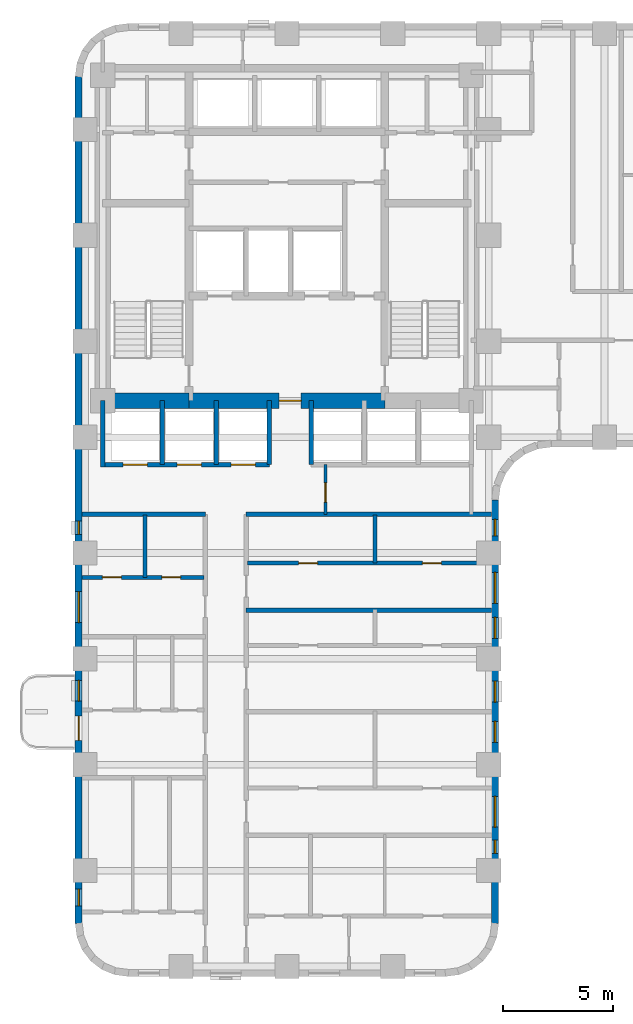
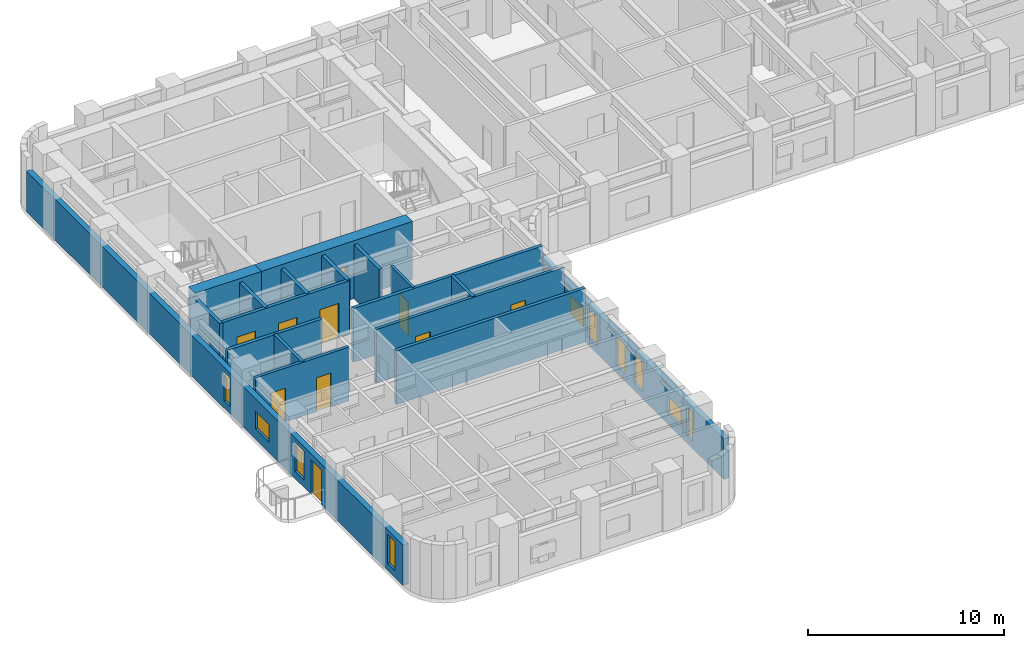
# One storey, part 4 of 12: 18 walls, 11 windows, 10 doors, 21 openings.
"""IFC4 building model written with IfcOpenShell, lengths in metres."""

import ifcopenshell
import ifcopenshell.guid

model = None  # the IFC model being written
_history = None  # IfcOwnerHistory: only IFC2X3 demands one
_inside = {}  # id of a spatial element -> (the spatial element, [elements in it])
_under = {}  # id of a project, library or spatial element -> (it, [spatial elements below it])
_declared = {}  # id of a project -> (the project, [libraries it declares])
_typed = {}  # id of a type object -> (the type object, [elements of that type])
_made_of = {}  # id of a material, layer set ... -> (it, [elements and type objects made of it])


def new_model(schema):
    """Start an empty IFC model of exactly this schema.

    Asked for "IFC4X3", IfcOpenShell would pick the latest addendum, in which some entities
    have other attributes; the version numbers below select the first issue.
    IFC2X3 requires an IfcOwnerHistory on every rooted entity: one is made here for all.
    """
    global model, _history
    if schema == "IFC4X3":
        model = ifcopenshell.file(schema_version=(4, 3, 0, 0))
    else:
        model = ifcopenshell.file(schema=schema)
    _inside.clear()
    _under.clear()
    _declared.clear()
    _typed.clear()
    _made_of.clear()
    _history = None
    if model.schema == "IFC2X3":
        org = make("IfcOrganization", Name="unknown")
        user = make(
            "IfcPersonAndOrganization",
            ThePerson=make("IfcPerson", FamilyName="unknown"),
            TheOrganization=org,
        )
        app = make(
            "IfcApplication",
            ApplicationDeveloper=org,
            Version="unknown",
            ApplicationFullName="unknown",
            ApplicationIdentifier="unknown",
        )
        _history = make(
            "IfcOwnerHistory",
            OwningUser=user,
            OwningApplication=app,
            ChangeAction="ADDED",
            CreationDate=0,
        )
    return model


def make(cls, **values):
    """One entity of the class cls with the attributes given. An attribute that is None is left unset."""
    return model.create_entity(
        cls, **{name: value for name, value in values.items() if value is not None}
    )


def rooted(cls, **values):
    """An entity with a GlobalId (a new one), such as an element, a storey or a relation."""
    return make(cls, GlobalId=ifcopenshell.guid.new(), OwnerHistory=_history, **values)


def si_unit(unit_type, name, prefix=None):
    """IfcSIUnit, for example si_unit("LENGTHUNIT", "METRE", prefix="MILLI")."""
    return make("IfcSIUnit", UnitType=unit_type, Prefix=prefix, Name=name)


def assignment(units):
    """IfcUnitAssignment: the units of a project."""
    return None if units is None else make("IfcUnitAssignment", Units=units)


def point(xyz):
    """IfcCartesianPoint."""
    return None if xyz is None else make("IfcCartesianPoint", Coordinates=xyz)


def direction(xyz):
    """IfcDirection."""
    return None if xyz is None else make("IfcDirection", DirectionRatios=xyz)


def frame(location, z_axis=None, x_axis=None):
    """IfcAxis2Placement3D, a coordinate frame: its origin and axes. An axis left out is left unset."""
    return make(
        "IfcAxis2Placement3D",
        Location=point(location),
        Axis=direction(z_axis),
        RefDirection=direction(x_axis),
    )


def frame_2d(location, x_axis=None):
    """IfcAxis2Placement2D, a coordinate frame in the plane: its origin and x axis."""
    return make(
        "IfcAxis2Placement2D", Location=point(location), RefDirection=direction(x_axis)
    )


def origin():
    """The frame at (0, 0, 0) with its axes left unset."""
    return frame((0.0, 0.0, 0.0))


def place(relative_to, where):
    """IfcLocalPlacement: puts the frame where relative to a parent placement (None: the world)."""
    return make(
        "IfcLocalPlacement", PlacementRelTo=relative_to, RelativePlacement=where
    )


def context(
    kind, dimensions, precision=None, world=None, true_north=None, identifier=None
):
    """IfcGeometricRepresentationContext, for example the 3D "Model" context."""
    return make(
        "IfcGeometricRepresentationContext",
        ContextIdentifier=identifier,
        ContextType=kind,
        CoordinateSpaceDimension=dimensions,
        Precision=precision,
        WorldCoordinateSystem=world,
        TrueNorth=true_north,
    )


def subcontext(parent, identifier, kind, view, scale=None):
    """IfcGeometricRepresentationSubContext, for example "Body" below "Model"."""
    return make(
        "IfcGeometricRepresentationSubContext",
        ContextIdentifier=identifier,
        ContextType=kind,
        ParentContext=parent,
        TargetScale=scale,
        TargetView=view,
    )


def project(units=None, contexts=None):
    """IfcProject with its units and contexts."""
    return rooted(
        "IfcProject",
        Name="project",
        RepresentationContexts=contexts,
        UnitsInContext=assignment(units),
    )


def spatial(cls, under=None, at=None, **own):
    """A site, building, storey or space (cls), placed at a placement, below another one or the project."""
    s = rooted(cls, ObjectPlacement=at, **own)
    if under is not None:
        _under.setdefault(under.id(), (under, []))[1].append(s)
    return s


def profile(cls, at=None, kind="AREA", **sizes):
    """A parametric profile (cls). Its sizes go by their IFC names, for example OverallWidth=200.0."""
    return make(cls, ProfileType=kind, Position=at, **sizes)


def rectangle(**sizes):
    """IfcRectangleProfileDef."""
    return profile("IfcRectangleProfileDef", **sizes)


def extrude(swept, where, along, depth):
    """IfcExtrudedAreaSolid: the profile swept, set in the frame where, extruded along a direction by depth."""
    return make(
        "IfcExtrudedAreaSolid",
        SweptArea=swept,
        Position=where,
        ExtrudedDirection=direction(along),
        Depth=depth,
    )


def shape(context_of_items, identifier, shape_type, items):
    """IfcShapeRepresentation: the items that make up one representation, for example the "Body"."""
    return make(
        "IfcShapeRepresentation",
        ContextOfItems=context_of_items,
        RepresentationIdentifier=identifier,
        RepresentationType=shape_type,
        Items=items,
    )


def material(Name=None, Category=None):
    """IfcMaterial."""
    return make("IfcMaterial", Name=Name, Category=Category)


def layer(
    of_material, thickness, ventilated=None, Name=None, Category=None, Priority=None
):
    """IfcMaterialLayer: one layer of a wall or slab, of a material (None: an air gap)."""
    return make(
        "IfcMaterialLayer",
        Material=of_material,
        LayerThickness=thickness,
        IsVentilated=ventilated,
        Name=Name,
        Category=Category,
        Priority=Priority,
    )


def layer_set(layers, Name=None):
    """IfcMaterialLayerSet."""
    return make("IfcMaterialLayerSet", MaterialLayers=layers, LayerSetName=Name)


def made_of(thing, what):
    """Note that an element or type object is made of a material, layer set ...; save() writes the relation."""
    if what is not None:
        _made_of.setdefault(what.id(), (what, []))[1].append(thing)
    return thing


def type_object(cls, material=None, **own):
    """A type object (cls), such as IfcWallType, which elements share."""
    return made_of(rooted(cls, **own), material)


def element(
    cls,
    number,
    at=None,
    inside=None,
    cuts=None,
    type_object=None,
    material=None,
    context=None,
    identifier="Body",
    shape_type=None,
    held_by="IfcProductDefinitionShape",
    body=None,
    shapes=None,
    **own,
):
    """One element of the class cls, such as IfcWall. Its Tag is "e" and its number.

    at: its placement. inside: the storey or other place that contains it. cuts: it is an
    opening in that element (IfcRelVoidsElement). A single representation is given by context,
    identifier, shape_type and body (its items); several are given by shapes. held_by: the class
    of the entity that holds the representations. save() writes the other relations.
    """
    e = rooted(cls, Tag="e%d" % number, ObjectPlacement=at, **own)
    if body is not None:
        shapes = [shape(context, identifier, shape_type, body)]
    if shapes is not None:
        e.Representation = make(held_by, Representations=shapes)
    if inside is not None:
        _inside.setdefault(inside.id(), (inside, []))[1].append(e)
    if cuts is not None:
        rooted(
            "IfcRelVoidsElement", RelatingBuildingElement=cuts, RelatedOpeningElement=e
        )
    if type_object is not None:
        _typed.setdefault(type_object.id(), (type_object, []))[1].append(e)
    return made_of(e, material)


def fill(opening, filler):
    """IfcRelFillsElement: the door or window that sits in an opening."""
    return rooted(
        "IfcRelFillsElement",
        RelatingOpeningElement=opening,
        RelatedBuildingElement=filler,
    )


def aggregate(whole, parts):
    """IfcRelAggregates: a whole, such as a stair, and the parts it consists of."""
    return rooted("IfcRelAggregates", RelatingObject=whole, RelatedObjects=parts)


def save(model, path):
    """Write the relations noted so far, then the file.

    IfcRelAggregates (storeys below a building ...), IfcRelContainedInSpatialStructure (elements
    in a storey), IfcRelDefinesByType, IfcRelAssociatesMaterial and IfcRelDeclares: one each for
    every whole, place, type object, material and project.
    """
    for whole, parts in _under.values():
        aggregate(whole, parts)
    for where, things in _inside.values():
        rooted(
            "IfcRelContainedInSpatialStructure",
            RelatedElements=things,
            RelatingStructure=where,
        )
    for kind, things in _typed.values():
        rooted("IfcRelDefinesByType", RelatedObjects=things, RelatingType=kind)
    for what, things in _made_of.values():
        rooted("IfcRelAssociatesMaterial", RelatedObjects=things, RelatingMaterial=what)
    for by, libraries in _declared.values():
        rooted("IfcRelDeclares", RelatingContext=by, RelatedDefinitions=libraries)
    model.write(path)


model = new_model("IFC4")

# Units and contexts
model_context = context("Model", 3, precision=1e-05, world=origin(), true_north=direction((0.0, 1.0)))
body_context = subcontext(model_context, "Body", "Model", "MODEL_VIEW")
ifc_project = project(units=[si_unit("LENGTHUNIT", "METRE"), si_unit("AREAUNIT", "SQUARE_METRE"), si_unit("VOLUMEUNIT", "CUBIC_METRE"), si_unit("PLANEANGLEUNIT", "RADIAN"), si_unit("MASSUNIT", "GRAM", prefix="KILO")], contexts=[model_context])

# Site, building, storey
site_placement = place(None, origin())
site = spatial("IfcSite", under=ifc_project, at=site_placement, CompositionType="ELEMENT")
building_placement = place(site_placement, origin())
building = spatial("IfcBuilding", under=site, at=building_placement, Name="Orvandelia Arch Residences", CompositionType="ELEMENT")
storey_placement = place(building_placement, frame((0.0, 0.0, 43.0)))
storey = spatial("IfcBuildingStorey", under=building, at=storey_placement, Name="L10", CompositionType="ELEMENT", Elevation=43.0)

# Wall
ifc_material_1 = material(Name="Concrete C80/95", Category="concrete")
ifc_layer_1 = layer(ifc_material_1, 0.699951171875, Name="Concrete C80/95", Category="concrete")
ifc_layer_set_1 = layer_set([ifc_layer_1], Name="Concrete C80/95")
wall_type_1 = type_object("IfcWallType", Name="WL-CORE-700", PredefinedType="SHEAR", material=ifc_layer_set_1)
wall_1_placement = place(storey_placement, frame((6.050048828125, 30.89990234375, 0.0), z_axis=(0.0, 0.0, 1.0), x_axis=(1.0, 0.0, 0.0)))
element("IfcWall", 1, at=wall_1_placement, inside=storey, type_object=wall_type_1, Name="Core Shear Wall L10-SW", PredefinedType="SHEAR", context=body_context, shape_type="SweptSolid", body=[
    extrude(rectangle(XDim=3.909912109375, YDim=0.699951171875, at=frame_2d((1.955078125, 0.0))), origin(), (0.0, 0.0, 1.0), 3.60009765625),
])

# Wall, opening, door
wall_2_placement = place(storey_placement, frame((9.9599609375, 30.89990234375, 0.0), z_axis=(0.0, 0.0, 1.0), x_axis=(1.0, 0.0, 0.0)))
wall_2 = element("IfcWall", 2, at=wall_2_placement, inside=storey, type_object=wall_type_1, Name="Core Shear Wall L10-SM", PredefinedType="SHEAR", context=body_context, shape_type="SweptSolid", body=[
    extrude(rectangle(XDim=8.880126953125, YDim=0.699951171875, at=frame_2d((4.43994140625, 0.0))), origin(), (0.0, 0.0, 1.0), 3.60009765625),
])
opening_1_placement = place(wall_2_placement, frame((4.090087890625, 0.0, 0.0)))
opening_1 = element("IfcOpeningElement", 3, at=opening_1_placement, cuts=wall_2, Name="Opening D6", PredefinedType="OPENING", context=body_context, shape_type="SweptSolid", body=[
    extrude(rectangle(XDim=1.0, YDim=2.14990234375, at=frame_2d((0.5, 1.074951171875))), frame((0.0, 0.35986328125, 0.0), z_axis=(0.0, -1.0, 0.0), x_axis=(1.0, 0.0, 0.0)), (0.0, 0.0, 1.0), 0.719970703125),
])
ifc_material_2 = material(Name="Smokeproof Painted Steel Fire Door", Category="steel")
door_type_1 = type_object("IfcDoorType", Name="DR-FD60-1000", OperationType="NOTDEFINED", PredefinedType="DOOR", material=ifc_material_2)
door_1_placement = place(opening_1_placement, origin())
door_1 = element("IfcDoor", 4, at=door_1_placement, inside=storey, type_object=door_type_1, Name="Firefighting Lobby Smokeproof Door L10", OperationType="SINGLE_SWING_LEFT", OverallHeight=2.14990234375, OverallWidth=1.0, PredefinedType="DOOR", context=body_context, shape_type="SweptSolid", body=[
    extrude(rectangle(XDim=1.0, YDim=2.14990234375, at=frame_2d((0.5, 1.074951171875))), frame((0.0, 0.02490234375, 0.0), z_axis=(0.0, -1.0, 0.0), x_axis=(1.0, 0.0, 0.0)), (0.0, 0.0, 1.0), 0.050048828125),
])
fill(opening_1, door_1)

# Walls
ifc_material_3 = material(Name="Fire-Rated Corridor Partition")
ifc_layer_2 = layer(ifc_material_3, 0.199951171875, Name="Fire-Rated Corridor Partition")
ifc_layer_set_2 = layer_set([ifc_layer_2], Name="Fire-Rated Corridor Partition")
wall_type_2 = type_object("IfcWallType", Name="WL-CORR-200", PredefinedType="PARTITIONING", material=ifc_layer_set_2)
wall_3_placement = place(storey_placement, frame((5.1201171875, 25.75, 0.0), z_axis=(0.0, 0.0, 1.0), x_axis=(1.0, 0.0, 0.0)))
element("IfcWall", 5, at=wall_3_placement, inside=storey, type_object=wall_type_2, Name="Interior Partition Wall WL-L10-WCLS-W", PredefinedType="PARTITIONING", context=body_context, shape_type="SweptSolid", body=[
    extrude(rectangle(XDim=5.579833984375, YDim=0.199951171875, at=frame_2d((2.7900390625, 0.0))), origin(), (0.0, 0.0, 1.0), 3.35009765625),
])
wall_4_placement = place(storey_placement, frame((12.550048828125, 25.75, 0.0), z_axis=(0.0, 0.0, 1.0), x_axis=(1.0, 0.0, 0.0)))
element("IfcWall", 6, at=wall_4_placement, inside=storey, type_object=wall_type_2, Name="Interior Partition Wall WL-L10-WCLS-E", PredefinedType="PARTITIONING", context=body_context, shape_type="SweptSolid", body=[
    extrude(rectangle(XDim=11.1298828125, YDim=0.199951171875, at=frame_2d((5.56494140625, 0.0))), origin(), (0.0, 0.0, 1.0), 3.35009765625),
])
ifc_material_4 = material(Name="Concrete C40/50", Category="concrete")
ifc_layer_3 = layer(ifc_material_4, 0.199951171875, Name="Concrete C40/50", Category="concrete")
ifc_layer_set_3 = layer_set([ifc_layer_3], Name="Concrete C40/50")
wall_type_3 = type_object("IfcWallType", Name="WL-DEM-200", PredefinedType="SOLIDWALL", material=ifc_layer_set_3)
wall_5_placement = place(storey_placement, frame((12.550048828125, 21.39990234375, 0.0), z_axis=(0.0, 0.0, 1.0), x_axis=(1.0, 0.0, 0.0)))
element("IfcWall", 7, at=wall_5_placement, inside=storey, type_object=wall_type_3, Name="Interior Partition Wall WL-L10-DEM-WR-214", PredefinedType="SOLIDWALL", context=body_context, shape_type="SweptSolid", body=[
    extrude(rectangle(XDim=11.1298828125, YDim=0.199951171875, at=frame_2d((5.56494140625, 0.0))), origin(), (0.0, 0.0, 1.0), 3.35009765625),
])

# Wall, openings, windows
ifc_material_5 = material(Name="Precast concrete C40/50", Category="concrete")
ifc_layer_4 = layer(ifc_material_5, 0.320068359375, Name="Precast concrete C40/50", Category="concrete")
ifc_layer_set_4 = layer_set([ifc_layer_4], Name="Precast concrete C40/50")
wall_type_4 = type_object("IfcWallType", Name="WL-EXT-STONE-320", PredefinedType="STANDARD", material=ifc_layer_set_4)
wall_6_placement = place(storey_placement, frame((23.840087890625, 26.39990234375, 0.0), z_axis=(0.0, 0.0, 1.0), x_axis=(0.0, -1.0, 0.0)))
wall_6 = element("IfcWall", 8, at=wall_6_placement, inside=storey, type_object=wall_type_4, Name="Coral-Limestone Precast Facade Wall L10-028", PredefinedType="STANDARD", context=body_context, shape_type="SweptSolid", body=[
    extrude(rectangle(XDim=19.199951171875, YDim=0.320068359375, at=frame_2d((9.60009765625, 0.0))), origin(), (0.0, 0.0, 1.0), 2.530029296875),
])
opening_2_placement = place(wall_6_placement, frame((15.4150390625, 0.0, 0.449951171875)))
opening_2 = element("IfcOpeningElement", 9, at=opening_2_placement, cuts=wall_6, Name="Opening W12", PredefinedType="OPENING", context=body_context, shape_type="SweptSolid", body=[
    extrude(rectangle(XDim=0.60009765625, YDim=1.800048828125, at=frame_2d((0.300048828125, 0.89990234375))), frame((0.0, 0.169921875, 0.0), z_axis=(0.0, -1.0, 0.0), x_axis=(1.0, 0.0, 0.0)), (0.0, 0.0, 1.0), 0.340087890625),
])
opening_3_placement = place(wall_6_placement, frame((13.429931640625, 0.0, 0.64990234375)))
opening_3 = element("IfcOpeningElement", 10, at=opening_3_placement, cuts=wall_6, Name="Opening W10", PredefinedType="OPENING", context=body_context, shape_type="SweptSolid", body=[
    extrude(rectangle(XDim=1.39990234375, YDim=1.10009765625, at=frame_2d((0.699951171875, 0.550048828125))), frame((0.0, 0.169921875, 0.0), z_axis=(0.0, -1.0, 0.0), x_axis=(1.0, 0.0, 0.0)), (0.0, 0.0, 1.0), 0.340087890625),
])
opening_4_placement = place(wall_6_placement, frame((8.2099609375, 0.0, 0.449951171875)))
opening_4 = element("IfcOpeningElement", 11, at=opening_4_placement, cuts=wall_6, Name="Opening W4", PredefinedType="OPENING", context=body_context, shape_type="SweptSolid", body=[
    extrude(rectangle(XDim=0.949951171875, YDim=1.800048828125, at=frame_2d((0.47509765625, 0.89990234375))), frame((0.0, 0.169921875, 0.0), z_axis=(0.0, -1.0, 0.0), x_axis=(1.0, 0.0, 0.0)), (0.0, 0.0, 1.0), 0.340087890625),
])
opening_5_placement = place(wall_6_placement, frame((3.284912109375, 0.0, 0.64990234375)))
opening_5 = element("IfcOpeningElement", 12, at=opening_5_placement, cuts=wall_6, Name="Opening W10", PredefinedType="OPENING", context=body_context, shape_type="SweptSolid", body=[
    extrude(rectangle(XDim=1.39990234375, YDim=1.10009765625, at=frame_2d((0.699951171875, 0.550048828125))), frame((0.0, 0.169921875, 0.0), z_axis=(0.0, -1.0, 0.0), x_axis=(1.0, 0.0, 0.0)), (0.0, 0.0, 1.0), 0.340087890625),
])
opening_6_placement = place(wall_6_placement, frame((10.0400390625, 0.0, 0.449951171875)))
opening_6 = element("IfcOpeningElement", 13, at=opening_6_placement, cuts=wall_6, Name="Opening W4", PredefinedType="OPENING", context=body_context, shape_type="SweptSolid", body=[
    extrude(rectangle(XDim=0.949951171875, YDim=1.800048828125, at=frame_2d((0.47509765625, 0.89990234375))), frame((0.0, 0.169921875, 0.0), z_axis=(0.0, -1.0, 0.0), x_axis=(1.0, 0.0, 0.0)), (0.0, 0.0, 1.0), 0.340087890625),
])
opening_7_placement = place(wall_6_placement, frame((5.320068359375, 0.0, 0.449951171875)))
opening_7 = element("IfcOpeningElement", 14, at=opening_7_placement, cuts=wall_6, Name="Opening W4", PredefinedType="OPENING", context=body_context, shape_type="SweptSolid", body=[
    extrude(rectangle(XDim=0.949951171875, YDim=1.800048828125, at=frame_2d((0.47509765625, 0.89990234375))), frame((0.0, 0.169921875, 0.0), z_axis=(0.0, -1.0, 0.0), x_axis=(1.0, 0.0, 0.0)), (0.0, 0.0, 1.0), 0.340087890625),
])
opening_8_placement = place(wall_6_placement, frame((0.8798828125, 0.0, 0.449951171875)))
opening_8 = element("IfcOpeningElement", 15, at=opening_8_placement, cuts=wall_6, Name="Opening W11", PredefinedType="OPENING", context=body_context, shape_type="SweptSolid", body=[
    extrude(rectangle(XDim=0.75, YDim=1.800048828125, at=frame_2d((0.375, 0.89990234375))), frame((0.0, 0.169921875, 0.0), z_axis=(0.0, -1.0, 0.0), x_axis=(1.0, 0.0, 0.0)), (0.0, 0.0, 1.0), 0.340087890625),
])
ifc_material_6 = material(Name="Tempered Low-E Insulated Glazing", Category="glass")
window_type_1 = type_object("IfcWindowType", Name="WIN-BED-0750x1800", PartitioningType="SINGLE_PANEL", PredefinedType="WINDOW", material=ifc_material_6)
window_1_placement = place(opening_8_placement, origin())
window_1 = element("IfcWindow", 16, at=window_1_placement, inside=storey, type_object=window_type_1, Name="Recessed Punched Window L10-025", OverallHeight=1.800048828125, OverallWidth=0.75, PartitioningType="SINGLE_PANEL", PredefinedType="WINDOW", context=body_context, shape_type="SweptSolid", body=[
    extrude(rectangle(XDim=0.75, YDim=1.800048828125, at=frame_2d((0.375, 0.89990234375))), frame((0.0, 0.030029296875, 0.0), z_axis=(0.0, -1.0, 0.0), x_axis=(1.0, 0.0, 0.0)), (0.0, 0.0, 1.0), 0.06005859375),
])
fill(opening_8, window_1)
window_type_2 = type_object("IfcWindowType", Name="WIN-CLR-1400x1100", PartitioningType="SINGLE_PANEL", PredefinedType="WINDOW", material=ifc_material_6)
window_2_placement = place(opening_3_placement, origin())
window_2 = element("IfcWindow", 17, at=window_2_placement, inside=storey, type_object=window_type_2, Name="Recessed Punched Window L10-020", OverallHeight=1.10009765625, OverallWidth=1.39990234375, PartitioningType="SINGLE_PANEL", PredefinedType="WINDOW", context=body_context, shape_type="SweptSolid", body=[
    extrude(rectangle(XDim=1.39990234375, YDim=1.10009765625, at=frame_2d((0.699951171875, 0.550048828125))), frame((0.0, 0.030029296875, 0.0), z_axis=(0.0, -1.0, 0.0), x_axis=(1.0, 0.0, 0.0)), (0.0, 0.0, 1.0), 0.06005859375),
])
fill(opening_3, window_2)
window_3_placement = place(opening_5_placement, origin())
window_3 = element("IfcWindow", 18, at=window_3_placement, inside=storey, type_object=window_type_2, Name="Recessed Punched Window L10-022", OverallHeight=1.10009765625, OverallWidth=1.39990234375, PartitioningType="SINGLE_PANEL", PredefinedType="WINDOW", context=body_context, shape_type="SweptSolid", body=[
    extrude(rectangle(XDim=1.39990234375, YDim=1.10009765625, at=frame_2d((0.699951171875, 0.550048828125))), frame((0.0, 0.030029296875, 0.0), z_axis=(0.0, -1.0, 0.0), x_axis=(1.0, 0.0, 0.0)), (0.0, 0.0, 1.0), 0.06005859375),
])
fill(opening_5, window_3)
window_type_3 = type_object("IfcWindowType", Name="WIN-LAN-0600x1800", PartitioningType="SINGLE_PANEL", PredefinedType="WINDOW", material=ifc_material_6)
window_4_placement = place(opening_2_placement, origin())
window_4 = element("IfcWindow", 19, at=window_4_placement, inside=storey, type_object=window_type_3, Name="Recessed Punched Window L10-019", OverallHeight=1.800048828125, OverallWidth=0.60009765625, PartitioningType="SINGLE_PANEL", PredefinedType="WINDOW", context=body_context, shape_type="SweptSolid", body=[
    extrude(rectangle(XDim=0.60009765625, YDim=1.800048828125, at=frame_2d((0.300048828125, 0.89990234375))), frame((0.0, 0.030029296875, 0.0), z_axis=(0.0, -1.0, 0.0), x_axis=(1.0, 0.0, 0.0)), (0.0, 0.0, 1.0), 0.06005859375),
])
fill(opening_2, window_4)
window_type_4 = type_object("IfcWindowType", Name="WIN-RES-0950x1800", PartitioningType="SINGLE_PANEL", PredefinedType="WINDOW", material=ifc_material_6)
window_5_placement = place(opening_4_placement, origin())
window_5 = element("IfcWindow", 20, at=window_5_placement, inside=storey, type_object=window_type_4, Name="Recessed Punched Window L10-021", OverallHeight=1.800048828125, OverallWidth=0.949951171875, PartitioningType="SINGLE_PANEL", PredefinedType="WINDOW", context=body_context, shape_type="SweptSolid", body=[
    extrude(rectangle(XDim=0.949951171875, YDim=1.800048828125, at=frame_2d((0.47509765625, 0.89990234375))), frame((0.0, 0.030029296875, 0.0), z_axis=(0.0, -1.0, 0.0), x_axis=(1.0, 0.0, 0.0)), (0.0, 0.0, 1.0), 0.06005859375),
])
fill(opening_4, window_5)
window_6_placement = place(opening_6_placement, origin())
window_6 = element("IfcWindow", 21, at=window_6_placement, inside=storey, type_object=window_type_4, Name="Recessed Punched Window L10-023", OverallHeight=1.800048828125, OverallWidth=0.949951171875, PartitioningType="SINGLE_PANEL", PredefinedType="WINDOW", context=body_context, shape_type="SweptSolid", body=[
    extrude(rectangle(XDim=0.949951171875, YDim=1.800048828125, at=frame_2d((0.47509765625, 0.89990234375))), frame((0.0, 0.030029296875, 0.0), z_axis=(0.0, -1.0, 0.0), x_axis=(1.0, 0.0, 0.0)), (0.0, 0.0, 1.0), 0.06005859375),
])
fill(opening_6, window_6)
window_7_placement = place(opening_7_placement, origin())
window_7 = element("IfcWindow", 22, at=window_7_placement, inside=storey, type_object=window_type_4, Name="Recessed Punched Window L10-024", OverallHeight=1.800048828125, OverallWidth=0.949951171875, PartitioningType="SINGLE_PANEL", PredefinedType="WINDOW", context=body_context, shape_type="SweptSolid", body=[
    extrude(rectangle(XDim=0.949951171875, YDim=1.800048828125, at=frame_2d((0.47509765625, 0.89990234375))), frame((0.0, 0.030029296875, 0.0), z_axis=(0.0, -1.0, 0.0), x_axis=(1.0, 0.0, 0.0)), (0.0, 0.0, 1.0), 0.06005859375),
])
fill(opening_7, window_7)

# Wall, openings, door, windows
wall_7_placement = place(storey_placement, frame((4.9599609375, 7.199951171875, 0.0), z_axis=(0.0, 0.0, 1.0), x_axis=(0.0, 1.0, 0.0)))
wall_7 = element("IfcWall", 23, at=wall_7_placement, inside=storey, type_object=wall_type_4, Name="Coral-Limestone Precast Facade Wall L10-042", PredefinedType="STANDARD", context=body_context, shape_type="SweptSolid", body=[
    extrude(rectangle(XDim=38.400146484375, YDim=0.320068359375, at=frame_2d((19.2001953125, 0.0))), origin(), (0.0, 0.0, 1.0), 2.530029296875),
])
opening_9_placement = place(wall_7_placement, frame((8.300048828125, 0.0, 0.0)))
opening_9 = element("IfcOpeningElement", 24, at=opening_9_placement, cuts=wall_7, Name="Opening BD1", PredefinedType="OPENING", context=body_context, shape_type="SweptSolid", body=[
    extrude(rectangle(XDim=1.10009765625, YDim=2.14990234375, at=frame_2d((0.550048828125, 1.074951171875))), frame((0.0, 0.169921875, 0.0), z_axis=(0.0, -1.0, 0.0), x_axis=(1.0, 0.0, 0.0)), (0.0, 0.0, 1.0), 0.340087890625),
])
opening_10_placement = place(wall_7_placement, frame((10.076904296875, 0.0, 0.449951171875)))
opening_10 = element("IfcOpeningElement", 25, at=opening_10_placement, cuts=wall_7, Name="Opening W4", PredefinedType="OPENING", context=body_context, shape_type="SweptSolid", body=[
    extrude(rectangle(XDim=0.949951171875, YDim=1.800048828125, at=frame_2d((0.47509765625, 0.89990234375))), frame((0.0, 0.169921875, 0.0), z_axis=(0.0, -1.0, 0.0), x_axis=(1.0, 0.0, 0.0)), (0.0, 0.0, 1.0), 0.340087890625),
])
opening_11_placement = place(wall_7_placement, frame((13.64599609375, 0.0, 0.64990234375)))
opening_11 = element("IfcOpeningElement", 26, at=opening_11_placement, cuts=wall_7, Name="Opening W10", PredefinedType="OPENING", context=body_context, shape_type="SweptSolid", body=[
    extrude(rectangle(XDim=1.39990234375, YDim=1.10009765625, at=frame_2d((0.699951171875, 0.550048828125))), frame((0.0, 0.169921875, 0.0), z_axis=(0.0, -1.0, 0.0), x_axis=(1.0, 0.0, 0.0)), (0.0, 0.0, 1.0), 0.340087890625),
])
opening_12_placement = place(wall_7_placement, frame((0.805908203125, 0.0, 0.449951171875)))
opening_12 = element("IfcOpeningElement", 27, at=opening_12_placement, cuts=wall_7, Name="Opening W11", PredefinedType="OPENING", context=body_context, shape_type="SweptSolid", body=[
    extrude(rectangle(XDim=0.75, YDim=1.800048828125, at=frame_2d((0.375, 0.89990234375))), frame((0.0, 0.169921875, 0.0), z_axis=(0.0, -1.0, 0.0), x_axis=(1.0, 0.0, 0.0)), (0.0, 0.0, 1.0), 0.340087890625),
])
opening_13_placement = place(wall_7_placement, frame((17.64501953125, 0.0, 0.449951171875)))
opening_13 = element("IfcOpeningElement", 28, at=opening_13_placement, cuts=wall_7, Name="Opening W12", PredefinedType="OPENING", context=body_context, shape_type="SweptSolid", body=[
    extrude(rectangle(XDim=0.60009765625, YDim=1.800048828125, at=frame_2d((0.300048828125, 0.89990234375))), frame((0.0, 0.169921875, 0.0), z_axis=(0.0, -1.0, 0.0), x_axis=(1.0, 0.0, 0.0)), (0.0, 0.0, 1.0), 0.340087890625),
])
ifc_material_7 = material(Name="Thermally Broken Aluminium Glazed Door", Category="aluminium")
door_type_2 = type_object("IfcDoorType", Name="DR-BAL-GLAZ-1100", OperationType="NOTDEFINED", PredefinedType="DOOR", material=ifc_material_7)
door_2_placement = place(opening_9_placement, origin())
door_2 = element("IfcDoor", 29, at=door_2_placement, inside=storey, type_object=door_type_2, Name="Tree Balcony Glazed Door BAL-L10-W1", OperationType="SINGLE_SWING_RIGHT", OverallHeight=2.14990234375, OverallWidth=1.10009765625, PredefinedType="DOOR", context=body_context, shape_type="SweptSolid", body=[
    extrude(rectangle(XDim=1.10009765625, YDim=2.14990234375, at=frame_2d((0.550048828125, 1.074951171875))), frame((0.0, 0.02490234375, 0.0), z_axis=(0.0, -1.0, 0.0), x_axis=(1.0, 0.0, 0.0)), (0.0, 0.0, 1.0), 0.050048828125),
])
fill(opening_9, door_2)
window_8_placement = place(opening_12_placement, origin())
window_8 = element("IfcWindow", 30, at=window_8_placement, inside=storey, type_object=window_type_1, Name="Recessed Punched Window L10-032", OverallHeight=1.800048828125, OverallWidth=0.75, PartitioningType="SINGLE_PANEL", PredefinedType="WINDOW", context=body_context, shape_type="SweptSolid", body=[
    extrude(rectangle(XDim=0.75, YDim=1.800048828125, at=frame_2d((0.375, 0.89990234375))), frame((0.0, 0.030029296875, 0.0), z_axis=(0.0, -1.0, 0.0), x_axis=(1.0, 0.0, 0.0)), (0.0, 0.0, 1.0), 0.06005859375),
])
fill(opening_12, window_8)
window_9_placement = place(opening_11_placement, origin())
window_9 = element("IfcWindow", 31, at=window_9_placement, inside=storey, type_object=window_type_2, Name="Recessed Punched Window L10-031", OverallHeight=1.10009765625, OverallWidth=1.39990234375, PartitioningType="SINGLE_PANEL", PredefinedType="WINDOW", context=body_context, shape_type="SweptSolid", body=[
    extrude(rectangle(XDim=1.39990234375, YDim=1.10009765625, at=frame_2d((0.699951171875, 0.550048828125))), frame((0.0, 0.030029296875, 0.0), z_axis=(0.0, -1.0, 0.0), x_axis=(1.0, 0.0, 0.0)), (0.0, 0.0, 1.0), 0.06005859375),
])
fill(opening_11, window_9)
window_10_placement = place(opening_13_placement, origin())
window_10 = element("IfcWindow", 32, at=window_10_placement, inside=storey, type_object=window_type_3, Name="Recessed Punched Window L10-033", OverallHeight=1.800048828125, OverallWidth=0.60009765625, PartitioningType="SINGLE_PANEL", PredefinedType="WINDOW", context=body_context, shape_type="SweptSolid", body=[
    extrude(rectangle(XDim=0.60009765625, YDim=1.800048828125, at=frame_2d((0.300048828125, 0.89990234375))), frame((0.0, 0.030029296875, 0.0), z_axis=(0.0, -1.0, 0.0), x_axis=(1.0, 0.0, 0.0)), (0.0, 0.0, 1.0), 0.06005859375),
])
fill(opening_13, window_10)
window_11_placement = place(opening_10_placement, origin())
window_11 = element("IfcWindow", 33, at=window_11_placement, inside=storey, type_object=window_type_4, Name="Recessed Punched Window L10-030", OverallHeight=1.800048828125, OverallWidth=0.949951171875, PartitioningType="SINGLE_PANEL", PredefinedType="WINDOW", context=body_context, shape_type="SweptSolid", body=[
    extrude(rectangle(XDim=0.949951171875, YDim=1.800048828125, at=frame_2d((0.47509765625, 0.89990234375))), frame((0.0, 0.030029296875, 0.0), z_axis=(0.0, -1.0, 0.0), x_axis=(1.0, 0.0, 0.0)), (0.0, 0.0, 1.0), 0.06005859375),
])
fill(opening_10, window_11)

# Wall, opening, door
ifc_material_8 = material(Name="Acoustic Gypsum Stud Partition")
ifc_layer_5 = layer(ifc_material_8, 0.14990234375, Name="Acoustic Gypsum Stud Partition")
ifc_layer_set_5 = layer_set([ifc_layer_5], Name="Acoustic Gypsum Stud Partition")
wall_type_5 = type_object("IfcWallType", Name="WL-PART-150", PredefinedType="PARTITIONING", material=ifc_layer_set_5)
wall_8_placement = place(storey_placement, frame((16.14990234375, 25.75, 0.0), z_axis=(0.0, 0.0, 1.0), x_axis=(0.0, 1.0, 0.0)))
wall_8 = element("IfcWall", 34, at=wall_8_placement, inside=storey, type_object=wall_type_5, Name="Interior Partition Wall WL-L10-HLS-EW", PredefinedType="PARTITIONING", context=body_context, shape_type="SweptSolid", body=[
    extrude(rectangle(XDim=2.25, YDim=0.14990234375, at=frame_2d((1.125, 0.0))), origin(), (0.0, 0.0, 1.0), 3.35009765625),
])
opening_14_placement = place(wall_8_placement, frame((0.550048828125, 0.0, 0.0)))
opening_14 = element("IfcOpeningElement", 35, at=opening_14_placement, cuts=wall_8, Name="Opening D5", PredefinedType="OPENING", context=body_context, shape_type="SweptSolid", body=[
    extrude(rectangle(XDim=0.8798828125, YDim=2.10009765625, at=frame_2d((0.43994140625, 1.050048828125))), frame((0.0, 0.0849609375, 0.0), z_axis=(0.0, -1.0, 0.0), x_axis=(1.0, 0.0, 0.0)), (0.0, 0.0, 1.0), 0.169921875),
])
ifc_material_9 = material(Name="Painted Galvanised Steel Service Door", Category="steel")
door_type_3 = type_object("IfcDoorType", Name="DR-SRV-880", OperationType="NOTDEFINED", PredefinedType="DOOR", material=ifc_material_9)
door_3_placement = place(opening_14_placement, origin())
door_3 = element("IfcDoor", 36, at=door_3_placement, inside=storey, type_object=door_type_3, Name="DR-L10-CSZ1A", OperationType="SINGLE_SWING_LEFT", OverallHeight=2.10009765625, OverallWidth=0.8798828125, PredefinedType="DOOR", context=body_context, shape_type="SweptSolid", body=[
    extrude(rectangle(XDim=0.8798828125, YDim=2.10009765625, at=frame_2d((0.43994140625, 1.050048828125))), frame((0.0, 0.02490234375, 0.0), z_axis=(0.0, -1.0, 0.0), x_axis=(1.0, 0.0, 0.0)), (0.0, 0.0, 1.0), 0.050048828125),
])
fill(opening_14, door_3)

# Wall, openings, doors
ifc_material_10 = material(Name="Fire-Rated Shaft Enclosure Wall")
ifc_layer_6 = layer(ifc_material_10, 0.199951171875, Name="Fire-Rated Shaft Enclosure Wall")
ifc_layer_set_6 = layer_set([ifc_layer_6], Name="Fire-Rated Shaft Enclosure Wall")
wall_type_6 = type_object("IfcWallType", Name="WL-SHAFT-200", PredefinedType="POLYGONAL", material=ifc_layer_set_6)
wall_9_placement = place(storey_placement, frame((6.050048828125, 28.0, 0.0), z_axis=(0.0, 0.0, 1.0), x_axis=(1.0, 0.0, 0.0)))
wall_9 = element("IfcWall", 37, at=wall_9_placement, inside=storey, type_object=wall_type_6, Name="Interior Partition Wall WL-L10-BNKL-S", PredefinedType="POLYGONAL", context=body_context, shape_type="SweptSolid", body=[
    extrude(rectangle(XDim=7.550048828125, YDim=0.199951171875, at=frame_2d((3.77490234375, 0.0))), origin(), (0.0, 0.0, 1.0), 3.35009765625),
])
opening_15_placement = place(wall_9_placement, frame((0.925048828125, 0.0, 0.0)))
opening_15 = element("IfcOpeningElement", 38, at=opening_15_placement, cuts=wall_9, Name="Opening LD", PredefinedType="OPENING", context=body_context, shape_type="SweptSolid", body=[
    extrude(rectangle(XDim=1.10009765625, YDim=2.14990234375, at=frame_2d((0.550048828125, 1.074951171875))), frame((0.0, 0.10986328125, 0.0), z_axis=(0.0, -1.0, 0.0), x_axis=(1.0, 0.0, 0.0)), (0.0, 0.0, 1.0), 0.219970703125),
])
opening_16_placement = place(wall_9_placement, frame((3.375, 0.0, 0.0)))
opening_16 = element("IfcOpeningElement", 39, at=opening_16_placement, cuts=wall_9, Name="Opening LD", PredefinedType="OPENING", context=body_context, shape_type="SweptSolid", body=[
    extrude(rectangle(XDim=1.10009765625, YDim=2.14990234375, at=frame_2d((0.550048828125, 1.074951171875))), frame((0.0, 0.10986328125, 0.0), z_axis=(0.0, -1.0, 0.0), x_axis=(1.0, 0.0, 0.0)), (0.0, 0.0, 1.0), 0.219970703125),
])
opening_17_placement = place(wall_9_placement, frame((5.824951171875, 0.0, 0.0)))
opening_17 = element("IfcOpeningElement", 40, at=opening_17_placement, cuts=wall_9, Name="Opening LD", PredefinedType="OPENING", context=body_context, shape_type="SweptSolid", body=[
    extrude(rectangle(XDim=1.10009765625, YDim=2.14990234375, at=frame_2d((0.550048828125, 1.074951171875))), frame((0.0, 0.10986328125, 0.0), z_axis=(0.0, -1.0, 0.0), x_axis=(1.0, 0.0, 0.0)), (0.0, 0.0, 1.0), 0.219970703125),
])
ifc_material_11 = material(Name="Brushed Stainless Steel Sliding Lift Door", Category="steel")
door_type_4 = type_object("IfcDoorType", Name="DR-LIFT-1100", OperationType="NOTDEFINED", PredefinedType="DOOR", material=ifc_material_11)
door_4_placement = place(opening_15_placement, origin())
door_4 = element("IfcDoor", 41, at=door_4_placement, inside=storey, type_object=door_type_4, Name="Lift Landing Door LD-PL1", OperationType="SLIDING_TO_LEFT", OverallHeight=2.14990234375, OverallWidth=1.10009765625, PredefinedType="DOOR", context=body_context, shape_type="SweptSolid", body=[
    extrude(rectangle(XDim=1.10009765625, YDim=2.14990234375, at=frame_2d((0.550048828125, 1.074951171875))), frame((0.0, 0.02490234375, 0.0), z_axis=(0.0, -1.0, 0.0), x_axis=(1.0, 0.0, 0.0)), (0.0, 0.0, 1.0), 0.050048828125),
])
fill(opening_15, door_4)
door_5_placement = place(opening_16_placement, origin())
door_5 = element("IfcDoor", 42, at=door_5_placement, inside=storey, type_object=door_type_4, Name="Lift Landing Door LD-PL2", OperationType="SLIDING_TO_RIGHT", OverallHeight=2.14990234375, OverallWidth=1.10009765625, PredefinedType="DOOR", context=body_context, shape_type="SweptSolid", body=[
    extrude(rectangle(XDim=1.10009765625, YDim=2.14990234375, at=frame_2d((0.550048828125, 1.074951171875))), frame((0.0, 0.02490234375, 0.0), z_axis=(0.0, -1.0, 0.0), x_axis=(1.0, 0.0, 0.0)), (0.0, 0.0, 1.0), 0.050048828125),
])
fill(opening_16, door_5)
door_6_placement = place(opening_17_placement, origin())
door_6 = element("IfcDoor", 43, at=door_6_placement, inside=storey, type_object=door_type_4, Name="Lift Landing Door LD-PL3", OperationType="SLIDING_TO_LEFT", OverallHeight=2.14990234375, OverallWidth=1.10009765625, PredefinedType="DOOR", context=body_context, shape_type="SweptSolid", body=[
    extrude(rectangle(XDim=1.10009765625, YDim=2.14990234375, at=frame_2d((0.550048828125, 1.074951171875))), frame((0.0, 0.02490234375, 0.0), z_axis=(0.0, -1.0, 0.0), x_axis=(1.0, 0.0, 0.0)), (0.0, 0.0, 1.0), 0.050048828125),
])
fill(opening_17, door_6)

# Walls
wall_10_placement = place(storey_placement, frame((6.050048828125, 27.89990234375, 0.0), z_axis=(0.0, 0.0, 1.0), x_axis=(0.0, 1.0, 0.0)))
element("IfcWall", 44, at=wall_10_placement, inside=storey, type_object=wall_type_6, Name="Interior Partition Wall WL-L10-BNKL-W", PredefinedType="POLYGONAL", context=body_context, shape_type="SweptSolid", body=[
    extrude(rectangle(XDim=3.0, YDim=0.199951171875, at=frame_2d((1.5, 0.0))), origin(), (0.0, 0.0, 1.0), 3.35009765625),
])
for number, where, z_axis, x_axis, name in (
    (45, (13.60009765625, 28.0, 0.0), (0.0, 0.0, 1.0), (0.0, 1.0, 0.0), "Interior Partition Wall WL-L10-BNKL-E"),
    (46, (15.5, 28.0, 0.0), (0.0, 0.0, 1.0), (0.0, 1.0, 0.0), "Interior Partition Wall WL-L10-BNKM-W"),
    (47, (8.75, 28.0, 0.0), (0.0, 0.0, 1.0), (0.0, 1.0, 0.0), "Interior Partition Wall WL-L10-BNKD-875"),
    (48, (11.199951171875, 28.0, 0.0), (0.0, 0.0, 1.0), (0.0, 1.0, 0.0), "Interior Partition Wall WL-L10-BNKD-1120"),
):
    element("IfcWall", number, at=place(storey_placement, frame(where, z_axis=z_axis, x_axis=x_axis)), inside=storey, type_object=wall_type_6, Name=name, PredefinedType="POLYGONAL", context=body_context, shape_type="SweptSolid", body=[
        extrude(rectangle(XDim=2.89990234375, YDim=0.199951171875, at=frame_2d((1.449951171875, 0.0))), origin(), (0.0, 0.0, 1.0), 3.35009765625),
    ])

# Wall, openings, doors
ifc_material_12 = material(Name="Moisture-Resistant Plumbing Wall")
ifc_layer_7 = layer(ifc_material_12, 0.179931640625, Name="Moisture-Resistant Plumbing Wall")
ifc_layer_set_7 = layer_set([ifc_layer_7], Name="Moisture-Resistant Plumbing Wall")
wall_type_7 = type_object("IfcWallType", Name="WL-WET-180", PredefinedType="PLUMBINGWALL", material=ifc_layer_set_7)
wall_11_placement = place(storey_placement, frame((5.1201171875, 22.89208984375, 0.0), z_axis=(0.0, 0.0, 1.0), x_axis=(1.0, 0.0, 0.0)))
wall_11 = element("IfcWall", 49, at=wall_11_placement, inside=storey, type_object=wall_type_7, Name="Interior Partition Wall WL-L10-U03-HZ", PredefinedType="PLUMBINGWALL", context=body_context, shape_type="SweptSolid", body=[
    extrude(rectangle(XDim=5.519775390625, YDim=0.179931640625, at=frame_2d((2.759765625, 0.0))), origin(), (0.0, 0.0, 1.0), 3.35009765625),
])
opening_18_placement = place(wall_11_placement, frame((0.916015625, 0.0, 0.0)))
opening_18 = element("IfcOpeningElement", 50, at=opening_18_placement, cuts=wall_11, Name="Opening D4", PredefinedType="OPENING", context=body_context, shape_type="SweptSolid", body=[
    extrude(rectangle(XDim=0.860107421875, YDim=2.10009765625, at=frame_2d((0.43017578125, 1.050048828125))), frame((0.0, 0.10009765625, 0.0), z_axis=(0.0, -1.0, 0.0), x_axis=(1.0, 0.0, 0.0)), (0.0, 0.0, 1.0), 0.199951171875),
])
opening_19_placement = place(wall_11_placement, frame((3.60595703125, 0.0, 0.0)))
opening_19 = element("IfcOpeningElement", 51, at=opening_19_placement, cuts=wall_11, Name="Opening D4", PredefinedType="OPENING", context=body_context, shape_type="SweptSolid", body=[
    extrude(rectangle(XDim=0.860107421875, YDim=2.10009765625, at=frame_2d((0.43017578125, 1.050048828125))), frame((0.0, 0.10009765625, 0.0), z_axis=(0.0, -1.0, 0.0), x_axis=(1.0, 0.0, 0.0)), (0.0, 0.0, 1.0), 0.199951171875),
])
ifc_material_13 = material(Name="Moisture-Sealed Timber Bathroom Door", Category="wood")
door_type_5 = type_object("IfcDoorType", Name="DR-WET-900", OperationType="NOTDEFINED", PredefinedType="DOOR", material=ifc_material_13)
door_7_placement = place(opening_18_placement, origin())
door_7 = element("IfcDoor", 52, at=door_7_placement, inside=storey, type_object=door_type_5, Name="DR-L10-U03-KIT", OperationType="SINGLE_SWING_LEFT", OverallHeight=2.10009765625, OverallWidth=0.860107421875, PredefinedType="DOOR", context=body_context, shape_type="SweptSolid", body=[
    extrude(rectangle(XDim=0.860107421875, YDim=2.10009765625, at=frame_2d((0.43017578125, 1.050048828125))), frame((0.0, 0.02490234375, 0.0), z_axis=(0.0, -1.0, 0.0), x_axis=(1.0, 0.0, 0.0)), (0.0, 0.0, 1.0), 0.050048828125),
])
fill(opening_18, door_7)
door_8_placement = place(opening_19_placement, origin())
door_8 = element("IfcDoor", 53, at=door_8_placement, inside=storey, type_object=door_type_5, Name="DR-L10-U03-BTH", OperationType="SINGLE_SWING_RIGHT", OverallHeight=2.10009765625, OverallWidth=0.860107421875, PredefinedType="DOOR", context=body_context, shape_type="SweptSolid", body=[
    extrude(rectangle(XDim=0.860107421875, YDim=2.10009765625, at=frame_2d((0.43017578125, 1.050048828125))), frame((0.0, 0.02490234375, 0.0), z_axis=(0.0, -1.0, 0.0), x_axis=(1.0, 0.0, 0.0)), (0.0, 0.0, 1.0), 0.050048828125),
])
fill(opening_19, door_8)

# Wall
wall_12_placement = place(storey_placement, frame((7.9619140625, 22.89208984375, 0.0), z_axis=(0.0, 0.0, 1.0), x_axis=(0.0, 1.0, 0.0)))
element("IfcWall", 54, at=wall_12_placement, inside=storey, type_object=wall_type_7, Name="Interior Partition Wall WL-L10-U03-V1", PredefinedType="PLUMBINGWALL", context=body_context, shape_type="SweptSolid", body=[
    extrude(rectangle(XDim=2.827880859375, YDim=0.179931640625, at=frame_2d((1.4140625, 0.0))), origin(), (0.0, 0.0, 1.0), 3.35009765625),
])

# Wall, openings, doors
wall_13_placement = place(storey_placement, frame((12.610107421875, 23.5400390625, 0.0), z_axis=(0.0, 0.0, 1.0), x_axis=(1.0, 0.0, 0.0)))
wall_13 = element("IfcWall", 55, at=wall_13_placement, inside=storey, type_object=wall_type_7, Name="Interior Partition Wall WL-L10-U07-HZ", PredefinedType="PLUMBINGWALL", context=body_context, shape_type="SweptSolid", body=[
    extrude(rectangle(XDim=11.06982421875, YDim=0.179931640625, at=frame_2d((5.534912109375, 0.0))), origin(), (0.0, 0.0, 1.0), 3.35009765625),
])
opening_20_placement = place(wall_13_placement, frame((2.319091796875, 0.0, 0.0)))
opening_20 = element("IfcOpeningElement", 56, at=opening_20_placement, cuts=wall_13, Name="Opening D4", PredefinedType="OPENING", context=body_context, shape_type="SweptSolid", body=[
    extrude(rectangle(XDim=0.860107421875, YDim=2.10009765625, at=frame_2d((0.43017578125, 1.050048828125))), frame((0.0, 0.10009765625, 0.0), z_axis=(0.0, -1.0, 0.0), x_axis=(1.0, 0.0, 0.0)), (0.0, 0.0, 1.0), 0.199951171875),
])
opening_21_placement = place(wall_13_placement, frame((7.93408203125, 0.0, 0.0)))
opening_21 = element("IfcOpeningElement", 57, at=opening_21_placement, cuts=wall_13, Name="Opening D4", PredefinedType="OPENING", context=body_context, shape_type="SweptSolid", body=[
    extrude(rectangle(XDim=0.860107421875, YDim=2.10009765625, at=frame_2d((0.43017578125, 1.050048828125))), frame((0.0, 0.10009765625, 0.0), z_axis=(0.0, -1.0, 0.0), x_axis=(1.0, 0.0, 0.0)), (0.0, 0.0, 1.0), 0.199951171875),
])
door_9_placement = place(opening_20_placement, origin())
door_9 = element("IfcDoor", 58, at=door_9_placement, inside=storey, type_object=door_type_5, Name="DR-L10-U07-KIT", OperationType="SINGLE_SWING_LEFT", OverallHeight=2.10009765625, OverallWidth=0.860107421875, PredefinedType="DOOR", context=body_context, shape_type="SweptSolid", body=[
    extrude(rectangle(XDim=0.860107421875, YDim=2.10009765625, at=frame_2d((0.43017578125, 1.050048828125))), frame((0.0, 0.02490234375, 0.0), z_axis=(0.0, -1.0, 0.0), x_axis=(1.0, 0.0, 0.0)), (0.0, 0.0, 1.0), 0.050048828125),
])
fill(opening_20, door_9)
door_10_placement = place(opening_21_placement, origin())
door_10 = element("IfcDoor", 59, at=door_10_placement, inside=storey, type_object=door_type_5, Name="DR-L10-U07-BTH", OperationType="SINGLE_SWING_RIGHT", OverallHeight=2.10009765625, OverallWidth=0.860107421875, PredefinedType="DOOR", context=body_context, shape_type="SweptSolid", body=[
    extrude(rectangle(XDim=0.860107421875, YDim=2.10009765625, at=frame_2d((0.43017578125, 1.050048828125))), frame((0.0, 0.02490234375, 0.0), z_axis=(0.0, -1.0, 0.0), x_axis=(1.0, 0.0, 0.0)), (0.0, 0.0, 1.0), 0.050048828125),
])
fill(opening_21, door_10)

# Wall
wall_14_placement = place(storey_placement, frame((18.39794921875, 23.5400390625, 0.0), z_axis=(0.0, 0.0, 1.0), x_axis=(0.0, 1.0, 0.0)))
element("IfcWall", 60, at=wall_14_placement, inside=storey, type_object=wall_type_7, Name="Interior Partition Wall WL-L10-U07-V1", PredefinedType="PLUMBINGWALL", context=body_context, shape_type="SweptSolid", body=[
    extrude(rectangle(XDim=2.179931640625, YDim=0.179931640625, at=frame_2d((1.08984375, 0.0))), origin(), (0.0, 0.0, 1.0), 3.35009765625),
])

save(model, "model.ifc")
